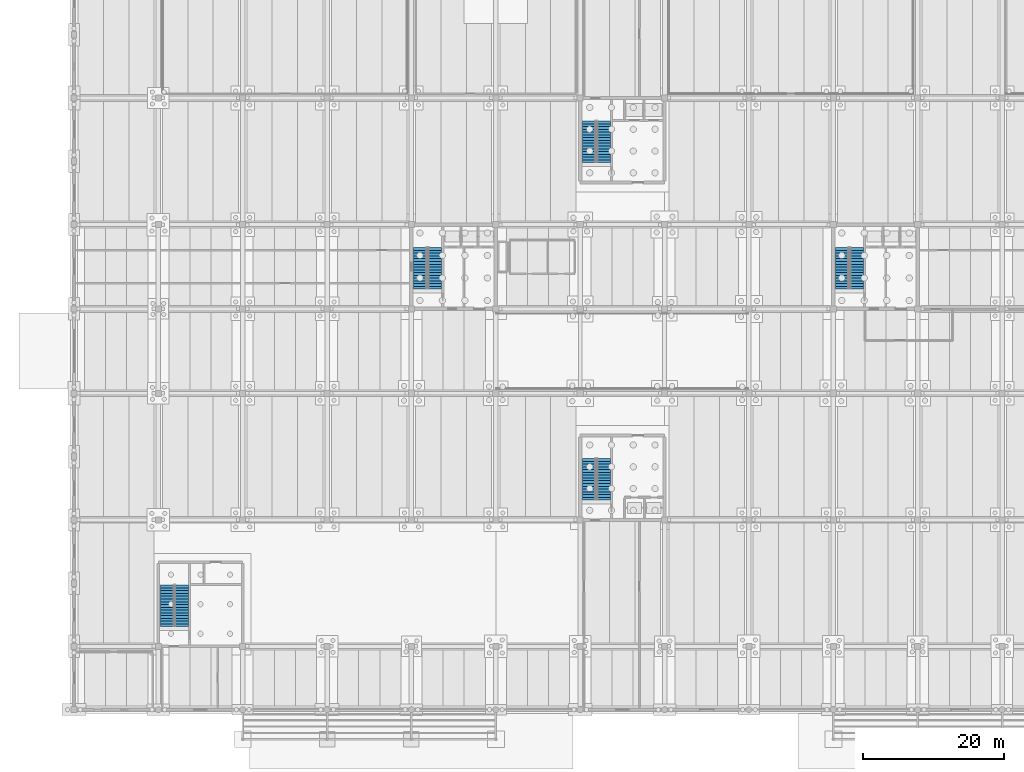
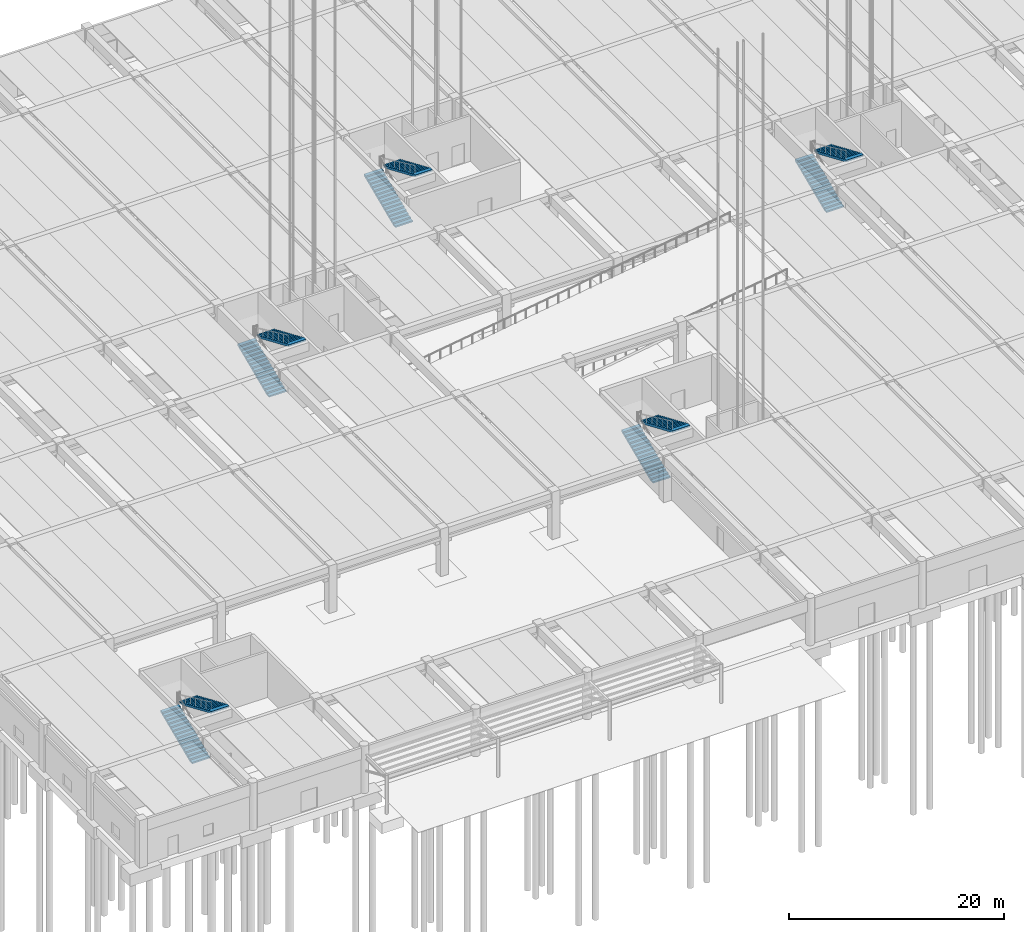
# One storey, part 32 of 59: 10 stair flights, 5 elements without a shape of their own.
"""IFC4 building model written with IfcOpenShell, lengths in metres."""

from ifc_helpers import new_model, si_unit, direction, frame, origin, place, context, subcontext, project, spatial, polyline, outline, extrude, material, type_object, element, aggregate, save


model = new_model("IFC4")

# Units and contexts
model_context = context("Model", 3, precision=1e-05, world=origin(), true_north=direction((0.0, 1.0)))
body_context = subcontext(model_context, "Body", "Model", "MODEL_VIEW")
ifc_project = project(units=[si_unit("LENGTHUNIT", "METRE"), si_unit("AREAUNIT", "SQUARE_METRE"), si_unit("VOLUMEUNIT", "CUBIC_METRE"), si_unit("PLANEANGLEUNIT", "RADIAN"), si_unit("MASSUNIT", "GRAM", prefix="KILO")], contexts=[model_context])

# Site, building, storey
site_placement = place(None, origin())
site = spatial("IfcSite", under=ifc_project, at=site_placement, CompositionType="ELEMENT")
building_placement = place(site_placement, origin())
building = spatial("IfcBuilding", under=site, at=building_placement, Name="Girod Span Mobility Hub", CompositionType="ELEMENT")
storey_placement = place(building_placement, origin())
storey = spatial("IfcBuildingStorey", under=building, at=storey_placement, Name="L00", CompositionType="ELEMENT", Elevation=0.0)

# Stair, stair flights
ifc_material_1 = material(Name="Concrete C40/50", Category="concrete")
stair_type_1 = type_object("IfcStairType", Name="STR-5400-W1860", PredefinedType="HALF_TURN_STAIR", material=ifc_material_1)
stair_1_placement = place(storey_placement, origin())
stair_1 = element("IfcStair", 1, at=stair_1_placement, inside=storey, type_object=stair_type_1, Name="Exit Stair ST-1 L00", PredefinedType="HALF_TURN_STAIR")
ifc_material_2 = material(Name="Concrete C40/50", Category="concrete")
stair_flight_type_1 = type_object("IfcStairFlightType", Name="STF-2700-W1860", PredefinedType="STRAIGHT", material=ifc_material_2)
stair_flight_1_placement = place(storey_placement, frame((49.25, 59.81005859375, 0.0), z_axis=(0.0, 0.0, 1.0), x_axis=(0.0, 1.0, 0.0)))
stair_flight_1 = element("IfcStairFlight", 2, at=stair_flight_1_placement, type_object=stair_flight_type_1, Name="Stair ST-1 Flight 1 L00", NumberOfRisers=16, NumberOfTreads=15, PredefinedType="STRAIGHT", RiserHeight=0.16875, TreadLength=0.39333, context=body_context, shape_type="SweptSolid", body=[
    extrude(outline(polyline([(0.0, 0.0), (0.0, 0.168701171875), (0.393310546875, 0.168701171875), (0.393310546875, 0.33740234375), (0.78662109375, 0.33740234375), (0.78662109375, 0.50634765625), (1.179931640625, 0.50634765625), (1.179931640625, 0.675048828125), (1.5732421875, 0.675048828125), (1.5732421875, 0.84375), (1.966552734375, 0.84375), (1.966552734375, 1.012451171875), (2.35986328125, 1.012451171875), (2.35986328125, 1.18115234375), (2.75341796875, 1.18115234375), (2.75341796875, 1.35009765625), (3.146728515625, 1.35009765625), (3.146728515625, 1.518798828125), (3.5400390625, 1.518798828125), (3.5400390625, 1.6875), (3.933349609375, 1.6875), (3.933349609375, 1.856201171875), (4.32666015625, 1.856201171875), (4.32666015625, 2.02490234375), (4.719970703125, 2.02490234375), (4.719970703125, 2.19384765625), (5.11328125, 2.19384765625), (5.11328125, 2.362548828125), (5.506591796875, 2.362548828125), (5.506591796875, 2.53125), (5.89990234375, 2.53125), (5.89990234375, 2.699951171875), (5.89990234375, 2.324462890625), (0.481689453125, 0.0), (0.0, 0.0)])), frame((0.0, 0.93017578125, 0.0), z_axis=(0.0, -1.0, 0.0), x_axis=(1.0, 0.0, 0.0)), (0.0, 0.0, 1.0), 1.860107421875),
])
stair_flight_2_placement = place(storey_placement, frame((51.35009765625, 65.7099609375, 2.699951171875), z_axis=(0.0, 0.0, 1.0), x_axis=(0.0, -1.0, 0.0)))
stair_flight_2 = element("IfcStairFlight", 3, at=stair_flight_2_placement, type_object=stair_flight_type_1, Name="Stair ST-1 Flight 2 L00", NumberOfRisers=16, NumberOfTreads=15, PredefinedType="STRAIGHT", RiserHeight=0.16875, TreadLength=0.39333, context=body_context, shape_type="SweptSolid", body=[
    extrude(outline(polyline([(0.0, 0.0), (0.0, 0.168701171875), (0.393310546875, 0.168701171875), (0.393310546875, 0.33740234375), (0.78662109375, 0.33740234375), (0.78662109375, 0.50634765625), (1.179931640625, 0.50634765625), (1.179931640625, 0.675048828125), (1.5732421875, 0.675048828125), (1.5732421875, 0.84375), (1.966552734375, 0.84375), (1.966552734375, 1.012451171875), (2.35986328125, 1.012451171875), (2.35986328125, 1.18115234375), (2.75341796875, 1.18115234375), (2.75341796875, 1.35009765625), (3.146728515625, 1.35009765625), (3.146728515625, 1.518798828125), (3.5400390625, 1.518798828125), (3.5400390625, 1.6875), (3.933349609375, 1.6875), (3.933349609375, 1.856201171875), (4.32666015625, 1.856201171875), (4.32666015625, 2.02490234375), (4.719970703125, 2.02490234375), (4.719970703125, 2.19384765625), (5.11328125, 2.19384765625), (5.11328125, 2.362548828125), (5.506591796875, 2.362548828125), (5.506591796875, 2.53125), (5.89990234375, 2.53125), (5.89990234375, 2.699951171875), (5.89990234375, 2.324462890625), (0.481689453125, 0.0), (0.0, 0.0)])), frame((0.0, 0.93017578125, 0.0), z_axis=(0.0, -1.0, 0.0), x_axis=(1.0, 0.0, 0.0)), (0.0, 0.0, 1.0), 1.860107421875),
])
aggregate(stair_1, [stair_flight_1, stair_flight_2])

stair_2_placement = place(storey_placement, origin())
stair_2 = element("IfcStair", 4, at=stair_2_placement, inside=storey, type_object=stair_type_1, Name="Exit Stair ST-2 L00", PredefinedType="HALF_TURN_STAIR")
stair_flight_3_placement = place(storey_placement, frame((109.25, 59.81005859375, 0.0), z_axis=(0.0, 0.0, 1.0), x_axis=(0.0, 1.0, 0.0)))
stair_flight_3 = element("IfcStairFlight", 5, at=stair_flight_3_placement, type_object=stair_flight_type_1, Name="Stair ST-2 Flight 1 L00", NumberOfRisers=16, NumberOfTreads=15, PredefinedType="STRAIGHT", RiserHeight=0.16875, TreadLength=0.39333, context=body_context, shape_type="SweptSolid", body=[
    extrude(outline(polyline([(0.0, 0.0), (0.0, 0.168701171875), (0.393310546875, 0.168701171875), (0.393310546875, 0.33740234375), (0.78662109375, 0.33740234375), (0.78662109375, 0.50634765625), (1.179931640625, 0.50634765625), (1.179931640625, 0.675048828125), (1.5732421875, 0.675048828125), (1.5732421875, 0.84375), (1.966552734375, 0.84375), (1.966552734375, 1.012451171875), (2.35986328125, 1.012451171875), (2.35986328125, 1.18115234375), (2.75341796875, 1.18115234375), (2.75341796875, 1.35009765625), (3.146728515625, 1.35009765625), (3.146728515625, 1.518798828125), (3.5400390625, 1.518798828125), (3.5400390625, 1.6875), (3.933349609375, 1.6875), (3.933349609375, 1.856201171875), (4.32666015625, 1.856201171875), (4.32666015625, 2.02490234375), (4.719970703125, 2.02490234375), (4.719970703125, 2.19384765625), (5.11328125, 2.19384765625), (5.11328125, 2.362548828125), (5.506591796875, 2.362548828125), (5.506591796875, 2.53125), (5.89990234375, 2.53125), (5.89990234375, 2.699951171875), (5.89990234375, 2.324462890625), (0.481689453125, 0.0), (0.0, 0.0)])), frame((0.0, 0.93017578125, 0.0), z_axis=(0.0, -1.0, 0.0), x_axis=(1.0, 0.0, 0.0)), (0.0, 0.0, 1.0), 1.860107421875),
])
stair_flight_4_placement = place(storey_placement, frame((111.35009765625, 65.7099609375, 2.699951171875), z_axis=(0.0, 0.0, 1.0), x_axis=(0.0, -1.0, 0.0)))
stair_flight_4 = element("IfcStairFlight", 6, at=stair_flight_4_placement, type_object=stair_flight_type_1, Name="Stair ST-2 Flight 2 L00", NumberOfRisers=16, NumberOfTreads=15, PredefinedType="STRAIGHT", RiserHeight=0.16875, TreadLength=0.39333, context=body_context, shape_type="SweptSolid", body=[
    extrude(outline(polyline([(0.0, 0.0), (0.0, 0.168701171875), (0.393310546875, 0.168701171875), (0.393310546875, 0.33740234375), (0.78662109375, 0.33740234375), (0.78662109375, 0.50634765625), (1.179931640625, 0.50634765625), (1.179931640625, 0.675048828125), (1.5732421875, 0.675048828125), (1.5732421875, 0.84375), (1.966552734375, 0.84375), (1.966552734375, 1.012451171875), (2.35986328125, 1.012451171875), (2.35986328125, 1.18115234375), (2.75341796875, 1.18115234375), (2.75341796875, 1.35009765625), (3.146728515625, 1.35009765625), (3.146728515625, 1.518798828125), (3.5400390625, 1.518798828125), (3.5400390625, 1.6875), (3.933349609375, 1.6875), (3.933349609375, 1.856201171875), (4.32666015625, 1.856201171875), (4.32666015625, 2.02490234375), (4.719970703125, 2.02490234375), (4.719970703125, 2.19384765625), (5.11328125, 2.19384765625), (5.11328125, 2.362548828125), (5.506591796875, 2.362548828125), (5.506591796875, 2.53125), (5.89990234375, 2.53125), (5.89990234375, 2.699951171875), (5.89990234375, 2.324462890625), (0.481689453125, 0.0), (0.0, 0.0)])), frame((0.0, 0.93017578125, 0.0), z_axis=(0.0, -1.0, 0.0), x_axis=(1.0, 0.0, 0.0)), (0.0, 0.0, 1.0), 1.860107421875),
])
aggregate(stair_2, [stair_flight_3, stair_flight_4])

stair_3_placement = place(storey_placement, origin())
stair_3 = element("IfcStair", 7, at=stair_3_placement, inside=storey, type_object=stair_type_1, Name="Exit Stair ST-3 L00", PredefinedType="HALF_TURN_STAIR")
stair_flight_5_placement = place(storey_placement, frame((73.25, 29.81005859375, 0.0), z_axis=(0.0, 0.0, 1.0), x_axis=(0.0, 1.0, 0.0)))
stair_flight_5 = element("IfcStairFlight", 8, at=stair_flight_5_placement, type_object=stair_flight_type_1, Name="Stair ST-3 Flight 1 L00", NumberOfRisers=16, NumberOfTreads=15, PredefinedType="STRAIGHT", RiserHeight=0.16875, TreadLength=0.39333, context=body_context, shape_type="SweptSolid", body=[
    extrude(outline(polyline([(0.0, 0.0), (0.0, 0.168701171875), (0.393310546875, 0.168701171875), (0.393310546875, 0.33740234375), (0.78662109375, 0.33740234375), (0.78662109375, 0.50634765625), (1.179931640625, 0.50634765625), (1.179931640625, 0.675048828125), (1.5732421875, 0.675048828125), (1.5732421875, 0.84375), (1.966552734375, 0.84375), (1.966552734375, 1.012451171875), (2.35986328125, 1.012451171875), (2.35986328125, 1.18115234375), (2.75341796875, 1.18115234375), (2.75341796875, 1.35009765625), (3.146728515625, 1.35009765625), (3.146728515625, 1.518798828125), (3.5400390625, 1.518798828125), (3.5400390625, 1.6875), (3.933349609375, 1.6875), (3.933349609375, 1.856201171875), (4.32666015625, 1.856201171875), (4.32666015625, 2.02490234375), (4.719970703125, 2.02490234375), (4.719970703125, 2.19384765625), (5.11328125, 2.19384765625), (5.11328125, 2.362548828125), (5.506591796875, 2.362548828125), (5.506591796875, 2.53125), (5.89990234375, 2.53125), (5.89990234375, 2.699951171875), (5.89990234375, 2.324462890625), (0.481689453125, 0.0), (0.0, 0.0)])), frame((0.0, 0.93017578125, 0.0), z_axis=(0.0, -1.0, 0.0), x_axis=(1.0, 0.0, 0.0)), (0.0, 0.0, 1.0), 1.860107421875),
])
stair_flight_6_placement = place(storey_placement, frame((75.35009765625, 35.7099609375, 2.699951171875), z_axis=(0.0, 0.0, 1.0), x_axis=(0.0, -1.0, 0.0)))
stair_flight_6 = element("IfcStairFlight", 9, at=stair_flight_6_placement, type_object=stair_flight_type_1, Name="Stair ST-3 Flight 2 L00", NumberOfRisers=16, NumberOfTreads=15, PredefinedType="STRAIGHT", RiserHeight=0.16875, TreadLength=0.39333, context=body_context, shape_type="SweptSolid", body=[
    extrude(outline(polyline([(0.0, 0.0), (0.0, 0.168701171875), (0.393310546875, 0.168701171875), (0.393310546875, 0.33740234375), (0.78662109375, 0.33740234375), (0.78662109375, 0.50634765625), (1.179931640625, 0.50634765625), (1.179931640625, 0.675048828125), (1.5732421875, 0.675048828125), (1.5732421875, 0.84375), (1.966552734375, 0.84375), (1.966552734375, 1.012451171875), (2.35986328125, 1.012451171875), (2.35986328125, 1.18115234375), (2.75341796875, 1.18115234375), (2.75341796875, 1.35009765625), (3.146728515625, 1.35009765625), (3.146728515625, 1.518798828125), (3.5400390625, 1.518798828125), (3.5400390625, 1.6875), (3.933349609375, 1.6875), (3.933349609375, 1.856201171875), (4.32666015625, 1.856201171875), (4.32666015625, 2.02490234375), (4.719970703125, 2.02490234375), (4.719970703125, 2.19384765625), (5.11328125, 2.19384765625), (5.11328125, 2.362548828125), (5.506591796875, 2.362548828125), (5.506591796875, 2.53125), (5.89990234375, 2.53125), (5.89990234375, 2.699951171875), (5.89990234375, 2.324462890625), (0.481689453125, 0.0), (0.0, 0.0)])), frame((0.0, 0.93017578125, 0.0), z_axis=(0.0, -1.0, 0.0), x_axis=(1.0, 0.0, 0.0)), (0.0, 0.0, 1.0), 1.860107421875),
])
aggregate(stair_3, [stair_flight_5, stair_flight_6])

stair_4_placement = place(storey_placement, origin())
stair_4 = element("IfcStair", 10, at=stair_4_placement, inside=storey, type_object=stair_type_1, Name="Exit Stair ST-4 L00", PredefinedType="HALF_TURN_STAIR")
stair_flight_7_placement = place(storey_placement, frame((73.25, 77.81005859375, 0.0), z_axis=(0.0, 0.0, 1.0), x_axis=(0.0, 1.0, 0.0)))
stair_flight_7 = element("IfcStairFlight", 11, at=stair_flight_7_placement, type_object=stair_flight_type_1, Name="Stair ST-4 Flight 1 L00", NumberOfRisers=16, NumberOfTreads=15, PredefinedType="STRAIGHT", RiserHeight=0.16875, TreadLength=0.39333, context=body_context, shape_type="SweptSolid", body=[
    extrude(outline(polyline([(0.0, 0.0), (0.0, 0.168701171875), (0.393310546875, 0.168701171875), (0.393310546875, 0.33740234375), (0.78662109375, 0.33740234375), (0.78662109375, 0.50634765625), (1.179931640625, 0.50634765625), (1.179931640625, 0.675048828125), (1.5732421875, 0.675048828125), (1.5732421875, 0.84375), (1.966552734375, 0.84375), (1.966552734375, 1.012451171875), (2.35986328125, 1.012451171875), (2.35986328125, 1.18115234375), (2.75341796875, 1.18115234375), (2.75341796875, 1.35009765625), (3.146728515625, 1.35009765625), (3.146728515625, 1.518798828125), (3.5400390625, 1.518798828125), (3.5400390625, 1.6875), (3.933349609375, 1.6875), (3.933349609375, 1.856201171875), (4.32666015625, 1.856201171875), (4.32666015625, 2.02490234375), (4.719970703125, 2.02490234375), (4.719970703125, 2.19384765625), (5.11328125, 2.19384765625), (5.11328125, 2.362548828125), (5.506591796875, 2.362548828125), (5.506591796875, 2.53125), (5.89990234375, 2.53125), (5.89990234375, 2.699951171875), (5.89990234375, 2.324462890625), (0.481689453125, 0.0), (0.0, 0.0)])), frame((0.0, 0.93017578125, 0.0), z_axis=(0.0, -1.0, 0.0), x_axis=(1.0, 0.0, 0.0)), (0.0, 0.0, 1.0), 1.860107421875),
])
stair_flight_8_placement = place(storey_placement, frame((75.35009765625, 83.7099609375, 2.699951171875), z_axis=(0.0, 0.0, 1.0), x_axis=(0.0, -1.0, 0.0)))
stair_flight_8 = element("IfcStairFlight", 12, at=stair_flight_8_placement, type_object=stair_flight_type_1, Name="Stair ST-4 Flight 2 L00", NumberOfRisers=16, NumberOfTreads=15, PredefinedType="STRAIGHT", RiserHeight=0.16875, TreadLength=0.39333, context=body_context, shape_type="SweptSolid", body=[
    extrude(outline(polyline([(0.0, 0.0), (0.0, 0.168701171875), (0.393310546875, 0.168701171875), (0.393310546875, 0.33740234375), (0.78662109375, 0.33740234375), (0.78662109375, 0.50634765625), (1.179931640625, 0.50634765625), (1.179931640625, 0.675048828125), (1.5732421875, 0.675048828125), (1.5732421875, 0.84375), (1.966552734375, 0.84375), (1.966552734375, 1.012451171875), (2.35986328125, 1.012451171875), (2.35986328125, 1.18115234375), (2.75341796875, 1.18115234375), (2.75341796875, 1.35009765625), (3.146728515625, 1.35009765625), (3.146728515625, 1.518798828125), (3.5400390625, 1.518798828125), (3.5400390625, 1.6875), (3.933349609375, 1.6875), (3.933349609375, 1.856201171875), (4.32666015625, 1.856201171875), (4.32666015625, 2.02490234375), (4.719970703125, 2.02490234375), (4.719970703125, 2.19384765625), (5.11328125, 2.19384765625), (5.11328125, 2.362548828125), (5.506591796875, 2.362548828125), (5.506591796875, 2.53125), (5.89990234375, 2.53125), (5.89990234375, 2.699951171875), (5.89990234375, 2.324462890625), (0.481689453125, 0.0), (0.0, 0.0)])), frame((0.0, 0.93017578125, 0.0), z_axis=(0.0, -1.0, 0.0), x_axis=(1.0, 0.0, 0.0)), (0.0, 0.0, 1.0), 1.860107421875),
])
aggregate(stair_4, [stair_flight_7, stair_flight_8])

ifc_material_3 = material(Name="Concrete C40/50", Category="concrete")
stair_type_2 = type_object("IfcStairType", Name="STR-5400-W1940", PredefinedType="HALF_TURN_STAIR", material=ifc_material_3)
stair_5_placement = place(storey_placement, origin())
stair_5 = element("IfcStair", 13, at=stair_5_placement, inside=storey, type_object=stair_type_2, Name="Exit Stair ST-5 L00", PredefinedType="HALF_TURN_STAIR")
ifc_material_4 = material(Name="Concrete C40/50", Category="concrete")
stair_flight_type_2 = type_object("IfcStairFlightType", Name="STF-2700-W1940", PredefinedType="STRAIGHT", material=ifc_material_4)
stair_flight_9_placement = place(storey_placement, frame((13.2900390625, 11.81005859375, 0.0), z_axis=(0.0, 0.0, 1.0), x_axis=(0.0, 1.0, 0.0)))
stair_flight_9 = element("IfcStairFlight", 14, at=stair_flight_9_placement, type_object=stair_flight_type_2, Name="Stair ST-5 Flight 1 L00", NumberOfRisers=16, NumberOfTreads=15, PredefinedType="STRAIGHT", RiserHeight=0.16875, TreadLength=0.39333, context=body_context, shape_type="SweptSolid", body=[
    extrude(outline(polyline([(0.0, 0.0), (0.0, 0.168701171875), (0.393310546875, 0.168701171875), (0.393310546875, 0.33740234375), (0.78662109375, 0.33740234375), (0.78662109375, 0.50634765625), (1.179931640625, 0.50634765625), (1.179931640625, 0.675048828125), (1.5732421875, 0.675048828125), (1.5732421875, 0.84375), (1.966552734375, 0.84375), (1.966552734375, 1.012451171875), (2.35986328125, 1.012451171875), (2.35986328125, 1.18115234375), (2.75341796875, 1.18115234375), (2.75341796875, 1.35009765625), (3.146728515625, 1.35009765625), (3.146728515625, 1.518798828125), (3.5400390625, 1.518798828125), (3.5400390625, 1.6875), (3.933349609375, 1.6875), (3.933349609375, 1.856201171875), (4.32666015625, 1.856201171875), (4.32666015625, 2.02490234375), (4.719970703125, 2.02490234375), (4.719970703125, 2.19384765625), (5.11328125, 2.19384765625), (5.11328125, 2.362548828125), (5.506591796875, 2.362548828125), (5.506591796875, 2.53125), (5.89990234375, 2.53125), (5.89990234375, 2.699951171875), (5.89990234375, 2.324462890625), (0.481689453125, 0.0), (0.0, 0.0)])), frame((0.0, 0.969970703125, 0.0), z_axis=(0.0, -1.0, 0.0), x_axis=(1.0, 0.0, 0.0)), (0.0, 0.0, 1.0), 1.93994140625),
])
stair_flight_10_placement = place(storey_placement, frame((15.330078125, 17.7099609375, 2.699951171875), z_axis=(0.0, 0.0, 1.0), x_axis=(0.0, -1.0, 0.0)))
stair_flight_10 = element("IfcStairFlight", 15, at=stair_flight_10_placement, type_object=stair_flight_type_2, Name="Stair ST-5 Flight 2 L00", NumberOfRisers=16, NumberOfTreads=15, PredefinedType="STRAIGHT", RiserHeight=0.16875, TreadLength=0.39333, context=body_context, shape_type="SweptSolid", body=[
    extrude(outline(polyline([(0.0, 0.0), (0.0, 0.168701171875), (0.393310546875, 0.168701171875), (0.393310546875, 0.33740234375), (0.78662109375, 0.33740234375), (0.78662109375, 0.50634765625), (1.179931640625, 0.50634765625), (1.179931640625, 0.675048828125), (1.5732421875, 0.675048828125), (1.5732421875, 0.84375), (1.966552734375, 0.84375), (1.966552734375, 1.012451171875), (2.35986328125, 1.012451171875), (2.35986328125, 1.18115234375), (2.75341796875, 1.18115234375), (2.75341796875, 1.35009765625), (3.146728515625, 1.35009765625), (3.146728515625, 1.518798828125), (3.5400390625, 1.518798828125), (3.5400390625, 1.6875), (3.933349609375, 1.6875), (3.933349609375, 1.856201171875), (4.32666015625, 1.856201171875), (4.32666015625, 2.02490234375), (4.719970703125, 2.02490234375), (4.719970703125, 2.19384765625), (5.11328125, 2.19384765625), (5.11328125, 2.362548828125), (5.506591796875, 2.362548828125), (5.506591796875, 2.53125), (5.89990234375, 2.53125), (5.89990234375, 2.699951171875), (5.89990234375, 2.324462890625), (0.481689453125, 0.0), (0.0, 0.0)])), frame((0.0, 0.969970703125, 0.0), z_axis=(0.0, -1.0, 0.0), x_axis=(1.0, 0.0, 0.0)), (0.0, 0.0, 1.0), 1.93994140625),
])
aggregate(stair_5, [stair_flight_9, stair_flight_10])

save(model, "model.ifc")
